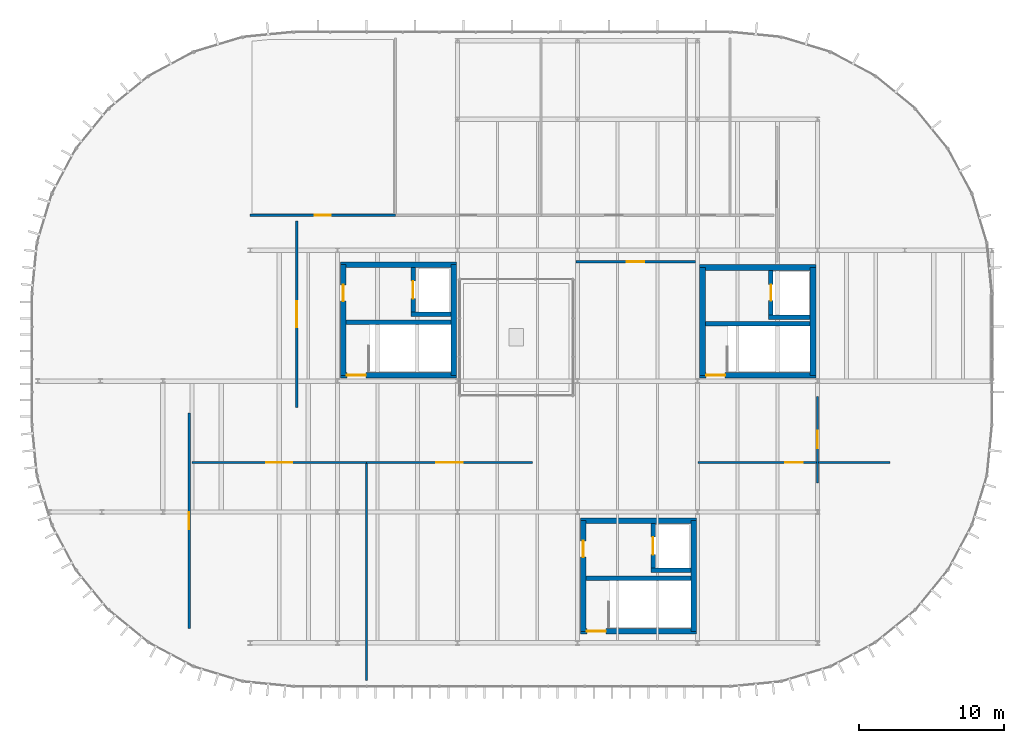
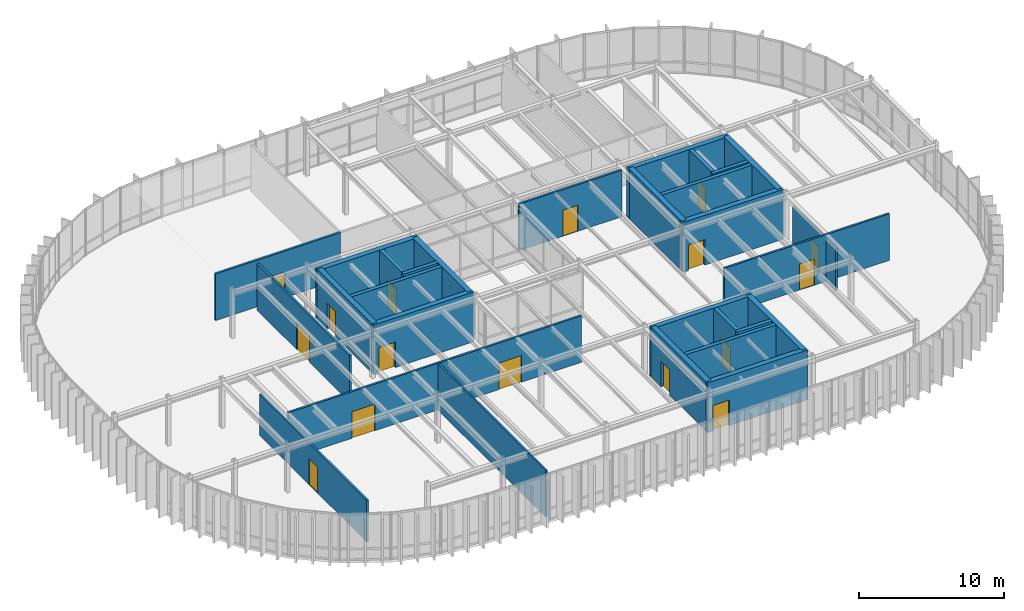
# One storey, part 19 of 21: 30 walls, 16 doors, 16 openings.
"""IFC4 building model written with IfcOpenShell, lengths in metres."""

from ifc_helpers import new_model, si_unit, direction, frame, frame_2d, origin, place, context, subcontext, project, spatial, rectangle, extrude, material, layer, layer_set, type_object, element, fill, save


model = new_model("IFC4")

# Units and contexts
model_context = context("Model", 3, precision=1e-05, world=origin(), true_north=direction((0.0, 1.0)))
body_context = subcontext(model_context, "Body", "Model", "MODEL_VIEW")
ifc_project = project(units=[si_unit("LENGTHUNIT", "METRE"), si_unit("AREAUNIT", "SQUARE_METRE"), si_unit("VOLUMEUNIT", "CUBIC_METRE"), si_unit("PLANEANGLEUNIT", "RADIAN"), si_unit("MASSUNIT", "GRAM", prefix="KILO")], contexts=[model_context])

# Site, building, storey
site_placement = place(None, origin())
site = spatial("IfcSite", under=ifc_project, at=site_placement, CompositionType="ELEMENT")
building_placement = place(site_placement, origin())
building = spatial("IfcBuilding", under=site, at=building_placement, Name="Montealbar Specialist Clinic", CompositionType="ELEMENT")
storey_placement = place(building_placement, frame((0.0, 0.0, 26.39990234375)))
storey = spatial("IfcBuildingStorey", under=building, at=storey_placement, Name="L06", CompositionType="ELEMENT", Elevation=26.39990234375)

# Walls
ifc_material_1 = material(Name="Concrete C35/45", Category="concrete")
ifc_layer_1 = layer(ifc_material_1, 0.300048828125, Name="Concrete C35/45", Category="concrete")
ifc_layer_set_1 = layer_set([ifc_layer_1], Name="Concrete C35/45")
wall_type_1 = type_object("IfcWallType", Name="WL-CORE-300", PredefinedType="SHEAR", material=ifc_layer_set_1)
wall_1_placement = place(storey_placement, frame((66.60009765625, 31.050048828125, 0.0), z_axis=(0.0, 0.0, 1.0), x_axis=(1.0, 0.0, 0.0)))
element("IfcWall", 1, at=wall_1_placement, inside=storey, type_object=wall_type_1, Name="Core C3 Stairwell Wall L06", PredefinedType="SHEAR", context=body_context, shape_type="SweptSolid", body=[
    extrude(rectangle(XDim=7.199951171875, YDim=0.300048828125, at=frame_2d((3.60009765625, 0.0))), origin(), (0.0, 0.0, 1.0), 4.2001953125),
])
wall_2_placement = place(storey_placement, frame((71.050048828125, 31.60009765625, 0.0), z_axis=(0.0, 0.0, 1.0), x_axis=(1.0, 0.0, 0.0)))
element("IfcWall", 2, at=wall_2_placement, inside=storey, type_object=wall_type_1, Name="Lift FL-01 Shaft Wall L06 LS", PredefinedType="SHEAR", context=body_context, shape_type="SweptSolid", body=[
    extrude(rectangle(XDim=2.75, YDim=0.300048828125, at=frame_2d((1.375, 0.0))), origin(), (0.0, 0.0, 1.0), 4.2001953125),
])

# Wall, opening, door
wall_3_placement = place(storey_placement, frame((71.199951171875, 31.75, 0.0), z_axis=(0.0, 0.0, 1.0), x_axis=(0.0, 1.0, 0.0)))
wall_3 = element("IfcWall", 3, at=wall_3_placement, inside=storey, type_object=wall_type_1, Name="Lift FL-01 Shaft Wall L06 LW", PredefinedType="SHEAR", context=body_context, shape_type="SweptSolid", body=[
    extrude(rectangle(XDim=3.050048828125, YDim=0.300048828125, at=frame_2d((1.52490234375, 0.0))), origin(), (0.0, 0.0, 1.0), 4.2001953125),
])
opening_1_placement = place(wall_3_placement, frame((0.925048828125, 0.0, 0.0)))
opening_1 = element("IfcOpeningElement", 4, at=opening_1_placement, cuts=wall_3, Name="Opening LD-12", PredefinedType="OPENING", context=body_context, shape_type="SweptSolid", body=[
    extrude(rectangle(XDim=1.199951171875, YDim=2.14990234375, at=frame_2d((0.60009765625, 1.074951171875))), frame((0.0, 0.159912109375, 0.0), z_axis=(0.0, -1.0, 0.0), x_axis=(1.0, 0.0, 0.0)), (0.0, 0.0, 1.0), 0.320068359375),
])
ifc_material_2 = material(Name="Steel S355", Category="steel")
door_type_1 = type_object("IfcDoorType", Name="DR-LIFT-LD1200", OperationType="DOUBLE_DOOR_SLIDING", PredefinedType="DOOR", material=ifc_material_2)
door_1_placement = place(opening_1_placement, origin())
door_1 = element("IfcDoor", 5, at=door_1_placement, inside=storey, type_object=door_type_1, Name="Lift FL-01 Sliding Landing Door L06", OperationType="DOUBLE_DOOR_SLIDING", OverallHeight=2.14990234375, OverallWidth=1.199951171875, PredefinedType="DOOR", context=body_context, shape_type="SweptSolid", body=[
    extrude(rectangle(XDim=1.199951171875, YDim=2.14990234375, at=frame_2d((0.60009765625, 1.074951171875))), frame((0.0, 0.02490234375, 0.0), z_axis=(0.0, -1.0, 0.0), x_axis=(1.0, 0.0, 0.0)), (0.0, 0.0, 1.0), 0.050048828125),
])
fill(opening_1, door_1)

# Walls
wall_4_placement = place(storey_placement, frame((83.10009765625, 13.449951171875, 0.0), z_axis=(0.0, 0.0, 1.0), x_axis=(1.0, 0.0, 0.0)))
element("IfcWall", 6, at=wall_4_placement, inside=storey, type_object=wall_type_1, Name="Core C4 Stairwell Wall L06", PredefinedType="SHEAR", context=body_context, shape_type="SweptSolid", body=[
    extrude(rectangle(XDim=7.199951171875, YDim=0.300048828125, at=frame_2d((3.60009765625, 0.0))), origin(), (0.0, 0.0, 1.0), 4.2001953125),
])
wall_5_placement = place(storey_placement, frame((87.550048828125, 14.0, 0.0), z_axis=(0.0, 0.0, 1.0), x_axis=(1.0, 0.0, 0.0)))
element("IfcWall", 7, at=wall_5_placement, inside=storey, type_object=wall_type_1, Name="Lift FL-02 Shaft Wall L06 LS", PredefinedType="SHEAR", context=body_context, shape_type="SweptSolid", body=[
    extrude(rectangle(XDim=2.75, YDim=0.300048828125, at=frame_2d((1.375, 0.0))), origin(), (0.0, 0.0, 1.0), 4.2001953125),
])

# Wall, opening, door
wall_6_placement = place(storey_placement, frame((87.699951171875, 14.14990234375, 0.0), z_axis=(0.0, 0.0, 1.0), x_axis=(0.0, 1.0, 0.0)))
wall_6 = element("IfcWall", 8, at=wall_6_placement, inside=storey, type_object=wall_type_1, Name="Lift FL-02 Shaft Wall L06 LW", PredefinedType="SHEAR", context=body_context, shape_type="SweptSolid", body=[
    extrude(rectangle(XDim=3.050048828125, YDim=0.300048828125, at=frame_2d((1.52490234375, 0.0))), origin(), (0.0, 0.0, 1.0), 4.2001953125),
])
opening_2_placement = place(wall_6_placement, frame((0.925048828125, 0.0, 0.0)))
opening_2 = element("IfcOpeningElement", 9, at=opening_2_placement, cuts=wall_6, Name="Opening LD-12", PredefinedType="OPENING", context=body_context, shape_type="SweptSolid", body=[
    extrude(rectangle(XDim=1.199951171875, YDim=2.14990234375, at=frame_2d((0.60009765625, 1.074951171875))), frame((0.0, 0.159912109375, 0.0), z_axis=(0.0, -1.0, 0.0), x_axis=(1.0, 0.0, 0.0)), (0.0, 0.0, 1.0), 0.320068359375),
])
door_2_placement = place(opening_2_placement, origin())
door_2 = element("IfcDoor", 10, at=door_2_placement, inside=storey, type_object=door_type_1, Name="Lift FL-02 Sliding Landing Door L06", OperationType="DOUBLE_DOOR_SLIDING", OverallHeight=2.14990234375, OverallWidth=1.199951171875, PredefinedType="DOOR", context=body_context, shape_type="SweptSolid", body=[
    extrude(rectangle(XDim=1.199951171875, YDim=2.14990234375, at=frame_2d((0.60009765625, 1.074951171875))), frame((0.0, 0.02490234375, 0.0), z_axis=(0.0, -1.0, 0.0), x_axis=(1.0, 0.0, 0.0)), (0.0, 0.0, 1.0), 0.050048828125),
])
fill(opening_2, door_2)

# Walls
wall_7_placement = place(storey_placement, frame((91.300048828125, 30.949951171875, 0.0), z_axis=(0.0, 0.0, 1.0), x_axis=(1.0, 0.0, 0.0)))
element("IfcWall", 11, at=wall_7_placement, inside=storey, type_object=wall_type_1, Name="Core C5 Stairwell Wall L06", PredefinedType="SHEAR", context=body_context, shape_type="SweptSolid", body=[
    extrude(rectangle(XDim=7.199951171875, YDim=0.300048828125, at=frame_2d((3.60009765625, 0.0))), origin(), (0.0, 0.0, 1.0), 4.2001953125),
])
wall_8_placement = place(storey_placement, frame((95.64990234375, 31.39990234375, 0.0), z_axis=(0.0, 0.0, 1.0), x_axis=(1.0, 0.0, 0.0)))
element("IfcWall", 12, at=wall_8_placement, inside=storey, type_object=wall_type_1, Name="Lift LF-03 Shaft Wall L06 LS", PredefinedType="SHEAR", context=body_context, shape_type="SweptSolid", body=[
    extrude(rectangle(XDim=2.85009765625, YDim=0.300048828125, at=frame_2d((1.425048828125, 0.0))), origin(), (0.0, 0.0, 1.0), 4.2001953125),
])

# Wall, opening, door
wall_9_placement = place(storey_placement, frame((95.800048828125, 31.550048828125, 0.0), z_axis=(0.0, 0.0, 1.0), x_axis=(0.0, 1.0, 0.0)))
wall_9 = element("IfcWall", 13, at=wall_9_placement, inside=storey, type_object=wall_type_1, Name="Lift LF-03 Shaft Wall L06 LW", PredefinedType="SHEAR", context=body_context, shape_type="SweptSolid", body=[
    extrude(rectangle(XDim=3.050048828125, YDim=0.300048828125, at=frame_2d((1.52490234375, 0.0))), origin(), (0.0, 0.0, 1.0), 4.2001953125),
])
opening_3_placement = place(wall_9_placement, frame((0.97509765625, 0.0, 0.0)))
opening_3 = element("IfcOpeningElement", 14, at=opening_3_placement, cuts=wall_9, Name="Opening LD-11", PredefinedType="OPENING", context=body_context, shape_type="SweptSolid", body=[
    extrude(rectangle(XDim=1.10009765625, YDim=2.14990234375, at=frame_2d((0.550048828125, 1.074951171875))), frame((0.0, 0.159912109375, 0.0), z_axis=(0.0, -1.0, 0.0), x_axis=(1.0, 0.0, 0.0)), (0.0, 0.0, 1.0), 0.320068359375),
])
door_type_2 = type_object("IfcDoorType", Name="DR-LIFT-LD1100", OperationType="DOUBLE_DOOR_SLIDING", PredefinedType="DOOR", material=ifc_material_2)
door_3_placement = place(opening_3_placement, origin())
door_3 = element("IfcDoor", 15, at=door_3_placement, inside=storey, type_object=door_type_2, Name="Lift LF-03 Sliding Landing Door L06", OperationType="DOUBLE_DOOR_SLIDING", OverallHeight=2.14990234375, OverallWidth=1.10009765625, PredefinedType="DOOR", context=body_context, shape_type="SweptSolid", body=[
    extrude(rectangle(XDim=1.10009765625, YDim=2.14990234375, at=frame_2d((0.550048828125, 1.074951171875))), frame((0.0, 0.02490234375, 0.0), z_axis=(0.0, -1.0, 0.0), x_axis=(1.0, 0.0, 0.0)), (0.0, 0.0, 1.0), 0.050048828125),
])
fill(opening_3, door_3)

ifc_layer_2 = layer(ifc_material_1, 0.39990234375, Name="Concrete C35/45", Category="concrete")
ifc_layer_set_2 = layer_set([ifc_layer_2], Name="Concrete C35/45")
wall_type_2 = type_object("IfcWallType", Name="WL-CORE-400", PredefinedType="SHEAR", material=ifc_layer_set_2)
wall_10_placement = place(storey_placement, frame((66.199951171875, 27.39990234375, 0.0), z_axis=(0.0, 0.0, 1.0), x_axis=(1.0, 0.0, 0.0)))
wall_10 = element("IfcWall", 16, at=wall_10_placement, inside=storey, type_object=wall_type_2, Name="Core C3 Shear Wall L06 S", PredefinedType="SHEAR", context=body_context, shape_type="SweptSolid", body=[
    extrude(rectangle(XDim=8.0, YDim=0.39990234375, at=frame_2d((4.0, 0.0))), origin(), (0.0, 0.0, 1.0), 4.2001953125),
])
opening_4_placement = place(wall_10_placement, frame((0.449951171875, 0.0, 0.0)))
opening_4 = element("IfcOpeningElement", 17, at=opening_4_placement, cuts=wall_10, Name="Opening SD-13", PredefinedType="OPENING", context=body_context, shape_type="SweptSolid", body=[
    extrude(rectangle(XDim=1.300048828125, YDim=2.14990234375, at=frame_2d((0.64990234375, 1.074951171875))), frame((0.0, 0.2099609375, 0.0), z_axis=(0.0, -1.0, 0.0), x_axis=(1.0, 0.0, 0.0)), (0.0, 0.0, 1.0), 0.419921875),
])
door_type_3 = type_object("IfcDoorType", Name="DR-STAIR-W1300", OperationType="NOTDEFINED", PredefinedType="DOOR", material=ifc_material_2)
door_4_placement = place(opening_4_placement, frame((1.300048828125, 0.0, 0.0), z_axis=(0.0, 0.0, 1.0), x_axis=(-1.0, 0.0, 0.0)))
door_4 = element("IfcDoor", 18, at=door_4_placement, inside=storey, type_object=door_type_3, Name="Protected Core C3 Stair Fire Door L06", OperationType="SINGLE_SWING_LEFT", OverallHeight=2.14990234375, OverallWidth=1.300048828125, PredefinedType="DOOR", context=body_context, shape_type="SweptSolid", body=[
    extrude(rectangle(XDim=1.300048828125, YDim=2.14990234375, at=frame_2d((0.64990234375, 1.074951171875))), frame((0.0, 0.02490234375, 0.0), z_axis=(0.0, -1.0, 0.0), x_axis=(1.0, 0.0, 0.0)), (0.0, 0.0, 1.0), 0.050048828125),
])
fill(opening_4, door_4)

# Wall
wall_11_placement = place(storey_placement, frame((66.199951171875, 35.0, 0.0), z_axis=(0.0, 0.0, 1.0), x_axis=(1.0, 0.0, 0.0)))
element("IfcWall", 19, at=wall_11_placement, inside=storey, type_object=wall_type_2, Name="Core C3 Shear Wall L06 N", PredefinedType="SHEAR", context=body_context, shape_type="SweptSolid", body=[
    extrude(rectangle(XDim=8.0, YDim=0.39990234375, at=frame_2d((4.0, 0.0))), origin(), (0.0, 0.0, 1.0), 4.2001953125),
])

# Wall, opening, door
wall_12_placement = place(storey_placement, frame((66.39990234375, 27.39990234375, 0.0), z_axis=(0.0, 0.0, 1.0), x_axis=(0.0, 1.0, 0.0)))
wall_12 = element("IfcWall", 20, at=wall_12_placement, inside=storey, type_object=wall_type_2, Name="Core C3 Shear Wall L06 W", PredefinedType="SHEAR", context=body_context, shape_type="SweptSolid", body=[
    extrude(rectangle(XDim=7.60009765625, YDim=0.39990234375, at=frame_2d((3.800048828125, 0.0))), origin(), (0.0, 0.0, 1.0), 4.2001953125),
])
opening_5_placement = place(wall_12_placement, frame((5.090087890625, 0.0, 0.0)))
opening_5 = element("IfcOpeningElement", 21, at=opening_5_placement, cuts=wall_12, Name="Opening FD-110", PredefinedType="OPENING", context=body_context, shape_type="SweptSolid", body=[
    extrude(rectangle(XDim=1.1201171875, YDim=2.14990234375, at=frame_2d((0.56005859375, 1.074951171875))), frame((0.0, 0.2099609375, 0.0), z_axis=(0.0, -1.0, 0.0), x_axis=(1.0, 0.0, 0.0)), (0.0, 0.0, 1.0), 0.419921875),
])
door_type_4 = type_object("IfcDoorType", Name="DR-FIRE-W1100", OperationType="NOTDEFINED", PredefinedType="DOOR", material=ifc_material_2)
door_5_placement = place(opening_5_placement, origin())
door_5 = element("IfcDoor", 22, at=door_5_placement, inside=storey, type_object=door_type_4, Name="Firefighting Lobby C3 Entrance Door L06", OperationType="SINGLE_SWING_RIGHT", OverallHeight=2.14990234375, OverallWidth=1.1201171875, PredefinedType="DOOR", context=body_context, shape_type="SweptSolid", body=[
    extrude(rectangle(XDim=1.1201171875, YDim=2.14990234375, at=frame_2d((0.56005859375, 1.074951171875))), frame((0.0, 0.02490234375, 0.0), z_axis=(0.0, -1.0, 0.0), x_axis=(1.0, 0.0, 0.0)), (0.0, 0.0, 1.0), 0.050048828125),
])
fill(opening_5, door_5)

# Wall
wall_13_placement = place(storey_placement, frame((74.0, 27.39990234375, 0.0), z_axis=(0.0, 0.0, 1.0), x_axis=(0.0, 1.0, 0.0)))
element("IfcWall", 23, at=wall_13_placement, inside=storey, type_object=wall_type_2, Name="Core C3 Shear Wall L06 E", PredefinedType="SHEAR", context=body_context, shape_type="SweptSolid", body=[
    extrude(rectangle(XDim=7.60009765625, YDim=0.39990234375, at=frame_2d((3.800048828125, 0.0))), origin(), (0.0, 0.0, 1.0), 4.2001953125),
])

# Wall, opening, door
wall_14_placement = place(storey_placement, frame((82.699951171875, 9.800048828125, 0.0), z_axis=(0.0, 0.0, 1.0), x_axis=(1.0, 0.0, 0.0)))
wall_14 = element("IfcWall", 24, at=wall_14_placement, inside=storey, type_object=wall_type_2, Name="Core C4 Shear Wall L06 S", PredefinedType="SHEAR", context=body_context, shape_type="SweptSolid", body=[
    extrude(rectangle(XDim=8.0, YDim=0.39990234375, at=frame_2d((4.0, 0.0))), origin(), (0.0, 0.0, 1.0), 4.2001953125),
])
opening_6_placement = place(wall_14_placement, frame((0.449951171875, 0.0, 0.0)))
opening_6 = element("IfcOpeningElement", 25, at=opening_6_placement, cuts=wall_14, Name="Opening SD-13", PredefinedType="OPENING", context=body_context, shape_type="SweptSolid", body=[
    extrude(rectangle(XDim=1.300048828125, YDim=2.14990234375, at=frame_2d((0.64990234375, 1.074951171875))), frame((0.0, 0.2099609375, 0.0), z_axis=(0.0, -1.0, 0.0), x_axis=(1.0, 0.0, 0.0)), (0.0, 0.0, 1.0), 0.419921875),
])
door_6_placement = place(opening_6_placement, frame((1.300048828125, 0.0, 0.0), z_axis=(0.0, 0.0, 1.0), x_axis=(-1.0, 0.0, 0.0)))
door_6 = element("IfcDoor", 26, at=door_6_placement, inside=storey, type_object=door_type_3, Name="Protected Core C4 Stair Fire Door L06", OperationType="SINGLE_SWING_LEFT", OverallHeight=2.14990234375, OverallWidth=1.300048828125, PredefinedType="DOOR", context=body_context, shape_type="SweptSolid", body=[
    extrude(rectangle(XDim=1.300048828125, YDim=2.14990234375, at=frame_2d((0.64990234375, 1.074951171875))), frame((0.0, 0.02490234375, 0.0), z_axis=(0.0, -1.0, 0.0), x_axis=(1.0, 0.0, 0.0)), (0.0, 0.0, 1.0), 0.050048828125),
])
fill(opening_6, door_6)

# Wall
wall_15_placement = place(storey_placement, frame((82.699951171875, 17.39990234375, 0.0), z_axis=(0.0, 0.0, 1.0), x_axis=(1.0, 0.0, 0.0)))
element("IfcWall", 27, at=wall_15_placement, inside=storey, type_object=wall_type_2, Name="Core C4 Shear Wall L06 N", PredefinedType="SHEAR", context=body_context, shape_type="SweptSolid", body=[
    extrude(rectangle(XDim=8.0, YDim=0.39990234375, at=frame_2d((4.0, 0.0))), origin(), (0.0, 0.0, 1.0), 4.2001953125),
])

# Wall, opening, door
wall_16_placement = place(storey_placement, frame((82.89990234375, 9.800048828125, 0.0), z_axis=(0.0, 0.0, 1.0), x_axis=(0.0, 1.0, 0.0)))
wall_16 = element("IfcWall", 28, at=wall_16_placement, inside=storey, type_object=wall_type_2, Name="Core C4 Shear Wall L06 W", PredefinedType="SHEAR", context=body_context, shape_type="SweptSolid", body=[
    extrude(rectangle(XDim=7.599853515625, YDim=0.39990234375, at=frame_2d((3.7998046875, 0.0))), origin(), (0.0, 0.0, 1.0), 4.2001953125),
])
opening_7_placement = place(wall_16_placement, frame((5.090087890625, 0.0, 0.0)))
opening_7 = element("IfcOpeningElement", 29, at=opening_7_placement, cuts=wall_16, Name="Opening FD-110", PredefinedType="OPENING", context=body_context, shape_type="SweptSolid", body=[
    extrude(rectangle(XDim=1.1201171875, YDim=2.14990234375, at=frame_2d((0.56005859375, 1.074951171875))), frame((0.0, 0.2099609375, 0.0), z_axis=(0.0, -1.0, 0.0), x_axis=(1.0, 0.0, 0.0)), (0.0, 0.0, 1.0), 0.419921875),
])
door_7_placement = place(opening_7_placement, origin())
door_7 = element("IfcDoor", 30, at=door_7_placement, inside=storey, type_object=door_type_4, Name="Firefighting Lobby C4 Entrance Door L06", OperationType="SINGLE_SWING_RIGHT", OverallHeight=2.14990234375, OverallWidth=1.1201171875, PredefinedType="DOOR", context=body_context, shape_type="SweptSolid", body=[
    extrude(rectangle(XDim=1.1201171875, YDim=2.14990234375, at=frame_2d((0.56005859375, 1.074951171875))), frame((0.0, 0.02490234375, 0.0), z_axis=(0.0, -1.0, 0.0), x_axis=(1.0, 0.0, 0.0)), (0.0, 0.0, 1.0), 0.050048828125),
])
fill(opening_7, door_7)

# Wall
wall_17_placement = place(storey_placement, frame((90.5, 9.800048828125, 0.0), z_axis=(0.0, 0.0, 1.0), x_axis=(0.0, 1.0, 0.0)))
element("IfcWall", 31, at=wall_17_placement, inside=storey, type_object=wall_type_2, Name="Core C4 Shear Wall L06 E", PredefinedType="SHEAR", context=body_context, shape_type="SweptSolid", body=[
    extrude(rectangle(XDim=7.599853515625, YDim=0.39990234375, at=frame_2d((3.7998046875, 0.0))), origin(), (0.0, 0.0, 1.0), 4.2001953125),
])

# Wall, opening, door
wall_18_placement = place(storey_placement, frame((90.89990234375, 27.39990234375, 0.0), z_axis=(0.0, 0.0, 1.0), x_axis=(1.0, 0.0, 0.0)))
wall_18 = element("IfcWall", 32, at=wall_18_placement, inside=storey, type_object=wall_type_2, Name="Core C5 Shear Wall L06 S", PredefinedType="SHEAR", context=body_context, shape_type="SweptSolid", body=[
    extrude(rectangle(XDim=8.0, YDim=0.39990234375, at=frame_2d((4.0, 0.0))), origin(), (0.0, 0.0, 1.0), 4.2001953125),
])
opening_8_placement = place(wall_18_placement, frame((0.449951171875, 0.0, 0.0)))
opening_8 = element("IfcOpeningElement", 33, at=opening_8_placement, cuts=wall_18, Name="Opening SD-13", PredefinedType="OPENING", context=body_context, shape_type="SweptSolid", body=[
    extrude(rectangle(XDim=1.300048828125, YDim=2.14990234375, at=frame_2d((0.64990234375, 1.074951171875))), frame((0.0, 0.2099609375, 0.0), z_axis=(0.0, -1.0, 0.0), x_axis=(1.0, 0.0, 0.0)), (0.0, 0.0, 1.0), 0.419921875),
])
door_8_placement = place(opening_8_placement, frame((1.300048828125, 0.0, 0.0), z_axis=(0.0, 0.0, 1.0), x_axis=(-1.0, 0.0, 0.0)))
door_8 = element("IfcDoor", 34, at=door_8_placement, inside=storey, type_object=door_type_3, Name="Protected Core C5 Stair Fire Door L06", OperationType="SINGLE_SWING_LEFT", OverallHeight=2.14990234375, OverallWidth=1.300048828125, PredefinedType="DOOR", context=body_context, shape_type="SweptSolid", body=[
    extrude(rectangle(XDim=1.300048828125, YDim=2.14990234375, at=frame_2d((0.64990234375, 1.074951171875))), frame((0.0, 0.02490234375, 0.0), z_axis=(0.0, -1.0, 0.0), x_axis=(1.0, 0.0, 0.0)), (0.0, 0.0, 1.0), 0.050048828125),
])
fill(opening_8, door_8)

# Walls
wall_19_placement = place(storey_placement, frame((90.89990234375, 34.800048828125, 0.0), z_axis=(0.0, 0.0, 1.0), x_axis=(1.0, 0.0, 0.0)))
element("IfcWall", 35, at=wall_19_placement, inside=storey, type_object=wall_type_2, Name="Core C5 Shear Wall L06 N", PredefinedType="SHEAR", context=body_context, shape_type="SweptSolid", body=[
    extrude(rectangle(XDim=8.0, YDim=0.39990234375, at=frame_2d((4.0, 0.0))), origin(), (0.0, 0.0, 1.0), 4.2001953125),
])
for number, where, z_axis, x_axis, name in (
    (36, (91.10009765625, 27.39990234375, 0.0), (0.0, 0.0, 1.0), (0.0, 1.0, 0.0), "Core C5 Shear Wall L06 W"),
    (37, (98.699951171875, 27.39990234375, 0.0), (0.0, 0.0, 1.0), (0.0, 1.0, 0.0), "Core C5 Shear Wall L06 E"),
):
    element("IfcWall", number, at=place(storey_placement, frame(where, z_axis=z_axis, x_axis=x_axis)), inside=storey, type_object=wall_type_2, Name=name, PredefinedType="SHEAR", context=body_context, shape_type="SweptSolid", body=[
        extrude(rectangle(XDim=7.400146484375, YDim=0.39990234375, at=frame_2d((3.7001953125, 0.0))), origin(), (0.0, 0.0, 1.0), 4.2001953125),
    ])
ifc_material_3 = material(Name="Gypsum acoustic partition", Category="gypsum")
ifc_layer_3 = layer(ifc_material_3, 0.139892578125, Name="Gypsum acoustic partition", Category="gypsum")
ifc_layer_set_3 = layer_set([ifc_layer_3], Name="Gypsum acoustic partition")
wall_type_3 = type_object("IfcWallType", Name="WL-PART-ACOUSTIC-140", PredefinedType="PARTITIONING", material=ifc_layer_set_3)
wall_20_placement = place(storey_placement, frame((68.0, 6.39990234375, 0.0), z_axis=(0.0, 0.0, 1.0), x_axis=(0.0, 1.0, 0.0)))
element("IfcWall", 38, at=wall_20_placement, inside=storey, type_object=wall_type_3, Name="Clinical Partition PART-L06-0239", PredefinedType="PARTITIONING", context=body_context, shape_type="SweptSolid", body=[
    extrude(rectangle(XDim=15.0, YDim=0.139892578125, at=frame_2d((7.5, 0.0))), origin(), (0.0, 0.0, 1.0), 3.93017578125),
])

# Wall, opening, door
ifc_layer_4 = layer(ifc_material_3, 0.159912109375, Name="Gypsum acoustic partition", Category="gypsum")
ifc_layer_set_4 = layer_set([ifc_layer_4], Name="Gypsum acoustic partition")
wall_type_4 = type_object("IfcWallType", Name="WL-PART-CLINIC-160", PredefinedType="PARTITIONING", material=ifc_layer_set_4)
wall_21_placement = place(storey_placement, frame((56.0, 21.39990234375, 0.0), z_axis=(0.0, 0.0, 1.0), x_axis=(1.0, 0.0, 0.0)))
wall_21 = element("IfcWall", 39, at=wall_21_placement, inside=storey, type_object=wall_type_4, Name="Clinical Partition PART-L06-0238", PredefinedType="PARTITIONING", context=body_context, shape_type="SweptSolid", body=[
    extrude(rectangle(XDim=12.0, YDim=0.159912109375, at=frame_2d((6.0, 0.0))), origin(), (0.0, 0.0, 1.0), 3.93017578125),
])
opening_9_placement = place(wall_21_placement, frame((5.10009765625, 0.0, 0.0)))
opening_9 = element("IfcOpeningElement", 40, at=opening_9_placement, cuts=wall_21, Name="Opening ID-180", PredefinedType="OPENING", context=body_context, shape_type="SweptSolid", body=[
    extrude(rectangle(XDim=1.800048828125, YDim=2.25, at=frame_2d((0.89990234375, 1.125))), frame((0.0, 0.08984375, 0.0), z_axis=(0.0, -1.0, 0.0), x_axis=(1.0, 0.0, 0.0)), (0.0, 0.0, 1.0), 0.179931640625),
])
ifc_material_4 = material(Name="Acoustic timber leaf", Category="wood")
door_type_5 = type_object("IfcDoorType", Name="DR-DBL-W1800", OperationType="DOUBLE_DOOR_SINGLE_SWING", PredefinedType="DOOR", material=ifc_material_4)
door_9_placement = place(opening_9_placement, origin())
door_9 = element("IfcDoor", 41, at=door_9_placement, inside=storey, type_object=door_type_5, Name="Clinical Room Door IDR-L06-0153", OperationType="DOUBLE_DOOR_SINGLE_SWING", OverallHeight=2.25, OverallWidth=1.800048828125, PredefinedType="DOOR", context=body_context, shape_type="SweptSolid", body=[
    extrude(rectangle(XDim=1.800048828125, YDim=2.25, at=frame_2d((0.89990234375, 1.125))), frame((0.0, 0.02490234375, 0.0), z_axis=(0.0, -1.0, 0.0), x_axis=(1.0, 0.0, 0.0)), (0.0, 0.0, 1.0), 0.050048828125),
])
fill(opening_9, door_9)

wall_22_placement = place(storey_placement, frame((68.0, 21.39990234375, 0.0), z_axis=(0.0, 0.0, 1.0), x_axis=(1.0, 0.0, 0.0)))
wall_22 = element("IfcWall", 42, at=wall_22_placement, inside=storey, type_object=wall_type_4, Name="Clinical Partition PART-L06-0240", PredefinedType="PARTITIONING", context=body_context, shape_type="SweptSolid", body=[
    extrude(rectangle(XDim=11.39990234375, YDim=0.159912109375, at=frame_2d((5.699951171875, 0.0))), origin(), (0.0, 0.0, 1.0), 3.93017578125),
])
opening_10_placement = place(wall_22_placement, frame((4.800048828125, 0.0, 0.0)))
opening_10 = element("IfcOpeningElement", 43, at=opening_10_placement, cuts=wall_22, Name="Opening ID-180", PredefinedType="OPENING", context=body_context, shape_type="SweptSolid", body=[
    extrude(rectangle(XDim=1.800048828125, YDim=2.25, at=frame_2d((0.89990234375, 1.125))), frame((0.0, 0.08984375, 0.0), z_axis=(0.0, -1.0, 0.0), x_axis=(1.0, 0.0, 0.0)), (0.0, 0.0, 1.0), 0.179931640625),
])
door_10_placement = place(opening_10_placement, origin())
door_10 = element("IfcDoor", 44, at=door_10_placement, inside=storey, type_object=door_type_5, Name="Clinical Room Door IDR-L06-0154", OperationType="DOUBLE_DOOR_SINGLE_SWING", OverallHeight=2.25, OverallWidth=1.800048828125, PredefinedType="DOOR", context=body_context, shape_type="SweptSolid", body=[
    extrude(rectangle(XDim=1.800048828125, YDim=2.25, at=frame_2d((0.89990234375, 1.125))), frame((0.0, 0.02490234375, 0.0), z_axis=(0.0, -1.0, 0.0), x_axis=(1.0, 0.0, 0.0)), (0.0, 0.0, 1.0), 0.050048828125),
])
fill(opening_10, door_10)

wall_23_placement = place(storey_placement, frame((90.800048828125, 21.39990234375, 0.0), z_axis=(0.0, 0.0, 1.0), x_axis=(1.0, 0.0, 0.0)))
wall_23 = element("IfcWall", 45, at=wall_23_placement, inside=storey, type_object=wall_type_4, Name="Clinical Partition PART-L06-0241", PredefinedType="PARTITIONING", context=body_context, shape_type="SweptSolid", body=[
    extrude(rectangle(XDim=13.199951171875, YDim=0.159912109375, at=frame_2d((6.60009765625, 0.0))), origin(), (0.0, 0.0, 1.0), 3.93017578125),
])
opening_11_placement = place(wall_23_placement, frame((6.0, 0.0, 0.0)))
opening_11 = element("IfcOpeningElement", 46, at=opening_11_placement, cuts=wall_23, Name="Opening ID-120", PredefinedType="OPENING", context=body_context, shape_type="SweptSolid", body=[
    extrude(rectangle(XDim=1.199951171875, YDim=2.199951171875, at=frame_2d((0.60009765625, 1.10009765625))), frame((0.0, 0.08984375, 0.0), z_axis=(0.0, -1.0, 0.0), x_axis=(1.0, 0.0, 0.0)), (0.0, 0.0, 1.0), 0.179931640625),
])
door_type_6 = type_object("IfcDoorType", Name="DR-CLIN-W1200", OperationType="NOTDEFINED", PredefinedType="DOOR", material=ifc_material_4)
door_11_placement = place(opening_11_placement, origin())
door_11 = element("IfcDoor", 47, at=door_11_placement, inside=storey, type_object=door_type_6, Name="Clinical Room Door IDR-L06-0155", OperationType="SINGLE_SWING_RIGHT", OverallHeight=2.199951171875, OverallWidth=1.199951171875, PredefinedType="DOOR", context=body_context, shape_type="SweptSolid", body=[
    extrude(rectangle(XDim=1.199951171875, YDim=2.199951171875, at=frame_2d((0.60009765625, 1.10009765625))), frame((0.0, 0.02490234375, 0.0), z_axis=(0.0, -1.0, 0.0), x_axis=(1.0, 0.0, 0.0)), (0.0, 0.0, 1.0), 0.050048828125),
])
fill(opening_11, door_11)

wall_24_placement = place(storey_placement, frame((63.199951171875, 25.199951171875, 0.0), z_axis=(0.0, 0.0, 1.0), x_axis=(0.0, 1.0, 0.0)))
wall_24 = element("IfcWall", 48, at=wall_24_placement, inside=storey, type_object=wall_type_4, Name="Clinical Partition PART-L06-0242", PredefinedType="PARTITIONING", context=body_context, shape_type="SweptSolid", body=[
    extrude(rectangle(XDim=12.800048828125, YDim=0.159912109375, at=frame_2d((6.39990234375, 0.0))), origin(), (0.0, 0.0, 1.0), 3.93017578125),
])
opening_12_placement = place(wall_24_placement, frame((5.5, 0.0, 0.0)))
opening_12 = element("IfcOpeningElement", 49, at=opening_12_placement, cuts=wall_24, Name="Opening ID-180", PredefinedType="OPENING", context=body_context, shape_type="SweptSolid", body=[
    extrude(rectangle(XDim=1.800048828125, YDim=2.25, at=frame_2d((0.89990234375, 1.125))), frame((0.0, 0.08984375, 0.0), z_axis=(0.0, -1.0, 0.0), x_axis=(1.0, 0.0, 0.0)), (0.0, 0.0, 1.0), 0.179931640625),
])
door_12_placement = place(opening_12_placement, frame((1.800048828125, 0.0, 0.0), z_axis=(0.0, 0.0, 1.0), x_axis=(-1.0, 0.0, 0.0)))
door_12 = element("IfcDoor", 50, at=door_12_placement, inside=storey, type_object=door_type_5, Name="Clinical Room Door IDR-L06-0156", OperationType="DOUBLE_DOOR_SINGLE_SWING", OverallHeight=2.25, OverallWidth=1.800048828125, PredefinedType="DOOR", context=body_context, shape_type="SweptSolid", body=[
    extrude(rectangle(XDim=1.800048828125, YDim=2.25, at=frame_2d((0.89990234375, 1.125))), frame((0.0, 0.02490234375, 0.0), z_axis=(0.0, -1.0, 0.0), x_axis=(1.0, 0.0, 0.0)), (0.0, 0.0, 1.0), 0.050048828125),
])
fill(opening_12, door_12)

wall_25_placement = place(storey_placement, frame((99.0, 20.0, 0.0), z_axis=(0.0, 0.0, 1.0), x_axis=(0.0, 1.0, 0.0)))
wall_25 = element("IfcWall", 51, at=wall_25_placement, inside=storey, type_object=wall_type_4, Name="Clinical Partition PART-L06-0243", PredefinedType="PARTITIONING", context=body_context, shape_type="SweptSolid", body=[
    extrude(rectangle(XDim=5.949951171875, YDim=0.159912109375, at=frame_2d((2.97509765625, 0.0))), origin(), (0.0, 0.0, 1.0), 3.530029296875),
])
opening_13_placement = place(wall_25_placement, frame((2.375, 0.0, 0.0)))
opening_13 = element("IfcOpeningElement", 52, at=opening_13_placement, cuts=wall_25, Name="Opening ID-120", PredefinedType="OPENING", context=body_context, shape_type="SweptSolid", body=[
    extrude(rectangle(XDim=1.199951171875, YDim=2.199951171875, at=frame_2d((0.60009765625, 1.10009765625))), frame((0.0, 0.08984375, 0.0), z_axis=(0.0, -1.0, 0.0), x_axis=(1.0, 0.0, 0.0)), (0.0, 0.0, 1.0), 0.179931640625),
])
door_13_placement = place(opening_13_placement, origin())
door_13 = element("IfcDoor", 53, at=door_13_placement, inside=storey, type_object=door_type_6, Name="Clinical Room Door IDR-L06-0157", OperationType="SINGLE_SWING_LEFT", OverallHeight=2.199951171875, OverallWidth=1.199951171875, PredefinedType="DOOR", context=body_context, shape_type="SweptSolid", body=[
    extrude(rectangle(XDim=1.199951171875, YDim=2.199951171875, at=frame_2d((0.60009765625, 1.10009765625))), frame((0.0, 0.02490234375, 0.0), z_axis=(0.0, -1.0, 0.0), x_axis=(1.0, 0.0, 0.0)), (0.0, 0.0, 1.0), 0.050048828125),
])
fill(opening_13, door_13)

wall_26_placement = place(storey_placement, frame((60.0, 38.39990234375, 0.0), z_axis=(0.0, 0.0, 1.0), x_axis=(1.0, 0.0, 0.0)))
wall_26 = element("IfcWall", 54, at=wall_26_placement, inside=storey, type_object=wall_type_4, Name="Clinical Partition PART-L06-0244", PredefinedType="PARTITIONING", context=body_context, shape_type="SweptSolid", body=[
    extrude(rectangle(XDim=10.0, YDim=0.159912109375, at=frame_2d((5.0, 0.0))), origin(), (0.0, 0.0, 1.0), 3.93017578125),
])
opening_14_placement = place(wall_26_placement, frame((4.449951171875, 0.0, 0.0)))
opening_14 = element("IfcOpeningElement", 55, at=opening_14_placement, cuts=wall_26, Name="Opening ID-110", PredefinedType="OPENING", context=body_context, shape_type="SweptSolid", body=[
    extrude(rectangle(XDim=1.10009765625, YDim=2.14990234375, at=frame_2d((0.550048828125, 1.074951171875))), frame((0.0, 0.08984375, 0.0), z_axis=(0.0, -1.0, 0.0), x_axis=(1.0, 0.0, 0.0)), (0.0, 0.0, 1.0), 0.179931640625),
])
door_type_7 = type_object("IfcDoorType", Name="DR-CLIN-W1100", OperationType="NOTDEFINED", PredefinedType="DOOR", material=ifc_material_4)
door_14_placement = place(opening_14_placement, frame((1.10009765625, 0.0, 0.0), z_axis=(0.0, 0.0, 1.0), x_axis=(-1.0, 0.0, 0.0)))
door_14 = element("IfcDoor", 56, at=door_14_placement, inside=storey, type_object=door_type_7, Name="Clinical Room Door IDR-L06-0158", OperationType="SINGLE_SWING_RIGHT", OverallHeight=2.14990234375, OverallWidth=1.10009765625, PredefinedType="DOOR", context=body_context, shape_type="SweptSolid", body=[
    extrude(rectangle(XDim=1.10009765625, YDim=2.14990234375, at=frame_2d((0.550048828125, 1.074951171875))), frame((0.0, 0.02490234375, 0.0), z_axis=(0.0, -1.0, 0.0), x_axis=(1.0, 0.0, 0.0)), (0.0, 0.0, 1.0), 0.050048828125),
])
fill(opening_14, door_14)

wall_27_placement = place(storey_placement, frame((82.39990234375, 35.199951171875, 0.0), z_axis=(0.0, 0.0, 1.0), x_axis=(1.0, 0.0, 0.0)))
wall_27 = element("IfcWall", 57, at=wall_27_placement, inside=storey, type_object=wall_type_4, Name="Clinical Partition PART-L06-0280", PredefinedType="PARTITIONING", context=body_context, shape_type="SweptSolid", body=[
    extrude(rectangle(XDim=8.2001953125, YDim=0.159912109375, at=frame_2d((4.10009765625, 0.0))), origin(), (0.0, 0.0, 1.0), 3.93017578125),
])
opening_15_placement = place(wall_27_placement, frame((3.5, 0.0, 0.0)))
opening_15 = element("IfcOpeningElement", 58, at=opening_15_placement, cuts=wall_27, Name="Opening ID-120", PredefinedType="OPENING", context=body_context, shape_type="SweptSolid", body=[
    extrude(rectangle(XDim=1.199951171875, YDim=2.199951171875, at=frame_2d((0.60009765625, 1.10009765625))), frame((0.0, 0.08984375, 0.0), z_axis=(0.0, -1.0, 0.0), x_axis=(1.0, 0.0, 0.0)), (0.0, 0.0, 1.0), 0.179931640625),
])
door_15_placement = place(opening_15_placement, origin())
door_15 = element("IfcDoor", 59, at=door_15_placement, inside=storey, type_object=door_type_6, Name="Clinical Room Door IDR-L06-0182", OperationType="SINGLE_SWING_LEFT", OverallHeight=2.199951171875, OverallWidth=1.199951171875, PredefinedType="DOOR", context=body_context, shape_type="SweptSolid", body=[
    extrude(rectangle(XDim=1.199951171875, YDim=2.199951171875, at=frame_2d((0.60009765625, 1.10009765625))), frame((0.0, 0.02490234375, 0.0), z_axis=(0.0, -1.0, 0.0), x_axis=(1.0, 0.0, 0.0)), (0.0, 0.0, 1.0), 0.050048828125),
])
fill(opening_15, door_15)

wall_28_placement = place(storey_placement, frame((55.800048828125, 10.0, 0.0), z_axis=(0.0, 0.0, 1.0), x_axis=(0.0, 1.0, 0.0)))
wall_28 = element("IfcWall", 60, at=wall_28_placement, inside=storey, type_object=wall_type_4, Name="Clinical Partition PART-L06-0281", PredefinedType="PARTITIONING", context=body_context, shape_type="SweptSolid", body=[
    extrude(rectangle(XDim=14.800048828125, YDim=0.159912109375, at=frame_2d((7.39990234375, 0.0))), origin(), (0.0, 0.0, 1.0), 3.489990234375),
])
opening_16_placement = place(wall_28_placement, frame((6.800048828125, 0.0, 0.0)))
opening_16 = element("IfcOpeningElement", 61, at=opening_16_placement, cuts=wall_28, Name="Opening ID-120", PredefinedType="OPENING", context=body_context, shape_type="SweptSolid", body=[
    extrude(rectangle(XDim=1.199951171875, YDim=2.199951171875, at=frame_2d((0.60009765625, 1.10009765625))), frame((0.0, 0.08984375, 0.0), z_axis=(0.0, -1.0, 0.0), x_axis=(1.0, 0.0, 0.0)), (0.0, 0.0, 1.0), 0.179931640625),
])
door_16_placement = place(opening_16_placement, frame((1.199951171875, 0.0, 0.0), z_axis=(0.0, 0.0, 1.0), x_axis=(-1.0, 0.0, 0.0)))
door_16 = element("IfcDoor", 62, at=door_16_placement, inside=storey, type_object=door_type_6, Name="Clinical Room Door IDR-L06-0183", OperationType="SINGLE_SWING_RIGHT", OverallHeight=2.199951171875, OverallWidth=1.199951171875, PredefinedType="DOOR", context=body_context, shape_type="SweptSolid", body=[
    extrude(rectangle(XDim=1.199951171875, YDim=2.199951171875, at=frame_2d((0.60009765625, 1.10009765625))), frame((0.0, 0.02490234375, 0.0), z_axis=(0.0, -1.0, 0.0), x_axis=(1.0, 0.0, 0.0)), (0.0, 0.0, 1.0), 0.050048828125),
])
fill(opening_16, door_16)

save(model, "model.ifc")
